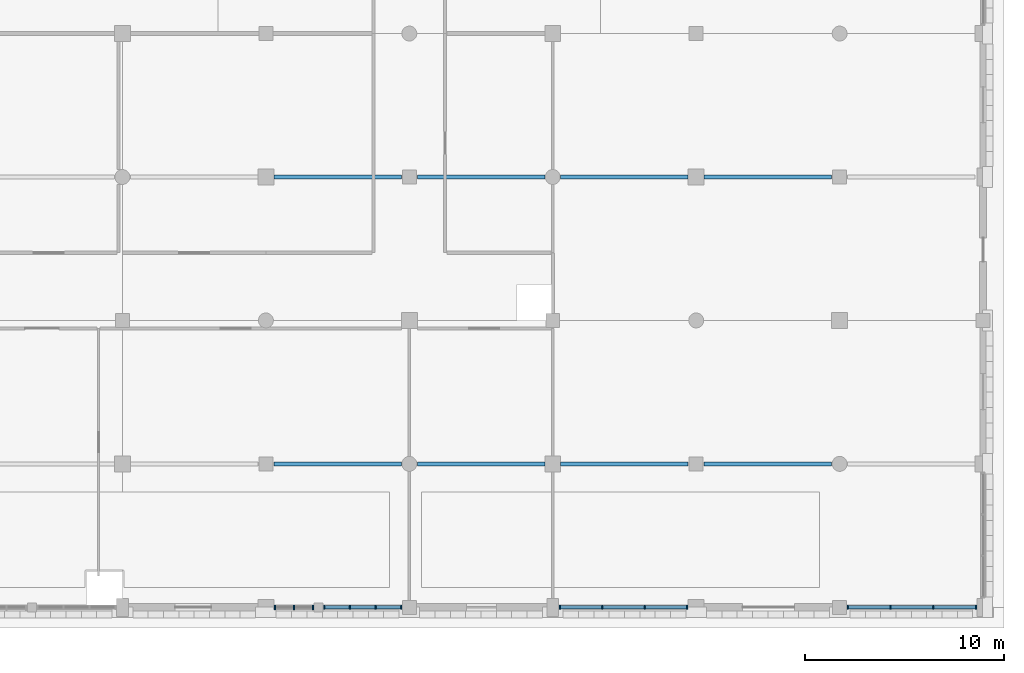
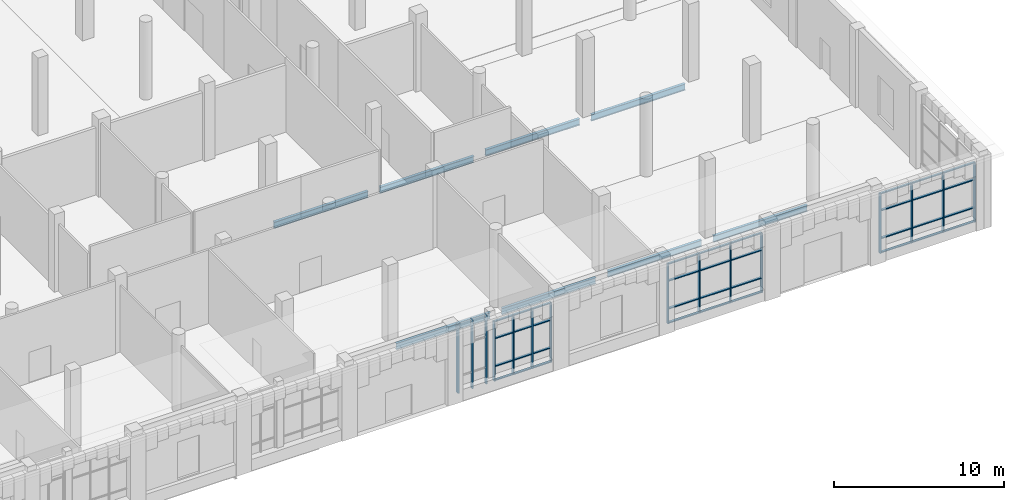
# One storey, part 28 of 85: 51 members, 8 beams, 4 elements without a shape of their own.
"""IFC4 building model written with IfcOpenShell, lengths in metres."""

import ifcopenshell
import ifcopenshell.guid

model = None  # the IFC model being written
_history = None  # IfcOwnerHistory: only IFC2X3 demands one
_inside = {}  # id of a spatial element -> (the spatial element, [elements in it])
_under = {}  # id of a project, library or spatial element -> (it, [spatial elements below it])
_declared = {}  # id of a project -> (the project, [libraries it declares])
_typed = {}  # id of a type object -> (the type object, [elements of that type])
_made_of = {}  # id of a material, layer set ... -> (it, [elements and type objects made of it])


def new_model(schema):
    """Start an empty IFC model of exactly this schema.

    Asked for "IFC4X3", IfcOpenShell would pick the latest addendum, in which some entities
    have other attributes; the version numbers below select the first issue.
    IFC2X3 requires an IfcOwnerHistory on every rooted entity: one is made here for all.
    """
    global model, _history
    if schema == "IFC4X3":
        model = ifcopenshell.file(schema_version=(4, 3, 0, 0))
    else:
        model = ifcopenshell.file(schema=schema)
    _inside.clear()
    _under.clear()
    _declared.clear()
    _typed.clear()
    _made_of.clear()
    _history = None
    if model.schema == "IFC2X3":
        org = make("IfcOrganization", Name="unknown")
        user = make(
            "IfcPersonAndOrganization",
            ThePerson=make("IfcPerson", FamilyName="unknown"),
            TheOrganization=org,
        )
        app = make(
            "IfcApplication",
            ApplicationDeveloper=org,
            Version="unknown",
            ApplicationFullName="unknown",
            ApplicationIdentifier="unknown",
        )
        _history = make(
            "IfcOwnerHistory",
            OwningUser=user,
            OwningApplication=app,
            ChangeAction="ADDED",
            CreationDate=0,
        )
    return model


def make(cls, **values):
    """One entity of the class cls with the attributes given. An attribute that is None is left unset."""
    return model.create_entity(
        cls, **{name: value for name, value in values.items() if value is not None}
    )


def rooted(cls, **values):
    """An entity with a GlobalId (a new one), such as an element, a storey or a relation."""
    return make(cls, GlobalId=ifcopenshell.guid.new(), OwnerHistory=_history, **values)


def si_unit(unit_type, name, prefix=None):
    """IfcSIUnit, for example si_unit("LENGTHUNIT", "METRE", prefix="MILLI")."""
    return make("IfcSIUnit", UnitType=unit_type, Prefix=prefix, Name=name)


def assignment(units):
    """IfcUnitAssignment: the units of a project."""
    return None if units is None else make("IfcUnitAssignment", Units=units)


def point(xyz):
    """IfcCartesianPoint."""
    return None if xyz is None else make("IfcCartesianPoint", Coordinates=xyz)


def direction(xyz):
    """IfcDirection."""
    return None if xyz is None else make("IfcDirection", DirectionRatios=xyz)


def frame(location, z_axis=None, x_axis=None):
    """IfcAxis2Placement3D, a coordinate frame: its origin and axes. An axis left out is left unset."""
    return make(
        "IfcAxis2Placement3D",
        Location=point(location),
        Axis=direction(z_axis),
        RefDirection=direction(x_axis),
    )


def frame_2d(location, x_axis=None):
    """IfcAxis2Placement2D, a coordinate frame in the plane: its origin and x axis."""
    return make(
        "IfcAxis2Placement2D", Location=point(location), RefDirection=direction(x_axis)
    )


def origin():
    """The frame at (0, 0, 0) with its axes left unset."""
    return frame((0.0, 0.0, 0.0))


def origin_2d():
    """The frame at (0, 0) in the plane with its x axis left unset."""
    return frame_2d((0.0, 0.0))


def place(relative_to, where):
    """IfcLocalPlacement: puts the frame where relative to a parent placement (None: the world)."""
    return make(
        "IfcLocalPlacement", PlacementRelTo=relative_to, RelativePlacement=where
    )


def context(
    kind, dimensions, precision=None, world=None, true_north=None, identifier=None
):
    """IfcGeometricRepresentationContext, for example the 3D "Model" context."""
    return make(
        "IfcGeometricRepresentationContext",
        ContextIdentifier=identifier,
        ContextType=kind,
        CoordinateSpaceDimension=dimensions,
        Precision=precision,
        WorldCoordinateSystem=world,
        TrueNorth=true_north,
    )


def subcontext(parent, identifier, kind, view, scale=None):
    """IfcGeometricRepresentationSubContext, for example "Body" below "Model"."""
    return make(
        "IfcGeometricRepresentationSubContext",
        ContextIdentifier=identifier,
        ContextType=kind,
        ParentContext=parent,
        TargetScale=scale,
        TargetView=view,
    )


def project(units=None, contexts=None):
    """IfcProject with its units and contexts."""
    return rooted(
        "IfcProject",
        Name="project",
        RepresentationContexts=contexts,
        UnitsInContext=assignment(units),
    )


def spatial(cls, under=None, at=None, **own):
    """A site, building, storey or space (cls), placed at a placement, below another one or the project."""
    s = rooted(cls, ObjectPlacement=at, **own)
    if under is not None:
        _under.setdefault(under.id(), (under, []))[1].append(s)
    return s


def profile(cls, at=None, kind="AREA", **sizes):
    """A parametric profile (cls). Its sizes go by their IFC names, for example OverallWidth=200.0."""
    return make(cls, ProfileType=kind, Position=at, **sizes)


def rectangle(**sizes):
    """IfcRectangleProfileDef."""
    return profile("IfcRectangleProfileDef", **sizes)


def i_section(**sizes):
    """IfcIShapeProfileDef."""
    return profile("IfcIShapeProfileDef", **sizes)


def extrude(swept, where, along, depth):
    """IfcExtrudedAreaSolid: the profile swept, set in the frame where, extruded along a direction by depth."""
    return make(
        "IfcExtrudedAreaSolid",
        SweptArea=swept,
        Position=where,
        ExtrudedDirection=direction(along),
        Depth=depth,
    )


def shape(context_of_items, identifier, shape_type, items):
    """IfcShapeRepresentation: the items that make up one representation, for example the "Body"."""
    return make(
        "IfcShapeRepresentation",
        ContextOfItems=context_of_items,
        RepresentationIdentifier=identifier,
        RepresentationType=shape_type,
        Items=items,
    )


def material(Name=None, Category=None):
    """IfcMaterial."""
    return make("IfcMaterial", Name=Name, Category=Category)


def material_profile(
    of_material, cross_section, Name=None, Category=None, Priority=None
):
    """IfcMaterialProfile: a cross section and its material."""
    return make(
        "IfcMaterialProfile",
        Name=Name,
        Material=of_material,
        Profile=cross_section,
        Priority=Priority,
        Category=Category,
    )


def profile_set(profiles, Name=None, composite=None):
    """IfcMaterialProfileSet."""
    return make(
        "IfcMaterialProfileSet",
        Name=Name,
        MaterialProfiles=profiles,
        CompositeProfile=composite,
    )


def made_of(thing, what):
    """Note that an element or type object is made of a material, layer set ...; save() writes the relation."""
    if what is not None:
        _made_of.setdefault(what.id(), (what, []))[1].append(thing)
    return thing


def type_object(cls, material=None, **own):
    """A type object (cls), such as IfcWallType, which elements share."""
    return made_of(rooted(cls, **own), material)


def element(
    cls,
    number,
    at=None,
    inside=None,
    cuts=None,
    type_object=None,
    material=None,
    context=None,
    identifier="Body",
    shape_type=None,
    held_by="IfcProductDefinitionShape",
    body=None,
    shapes=None,
    **own,
):
    """One element of the class cls, such as IfcWall. Its Tag is "e" and its number.

    at: its placement. inside: the storey or other place that contains it. cuts: it is an
    opening in that element (IfcRelVoidsElement). A single representation is given by context,
    identifier, shape_type and body (its items); several are given by shapes. held_by: the class
    of the entity that holds the representations. save() writes the other relations.
    """
    e = rooted(cls, Tag="e%d" % number, ObjectPlacement=at, **own)
    if body is not None:
        shapes = [shape(context, identifier, shape_type, body)]
    if shapes is not None:
        e.Representation = make(held_by, Representations=shapes)
    if inside is not None:
        _inside.setdefault(inside.id(), (inside, []))[1].append(e)
    if cuts is not None:
        rooted(
            "IfcRelVoidsElement", RelatingBuildingElement=cuts, RelatedOpeningElement=e
        )
    if type_object is not None:
        _typed.setdefault(type_object.id(), (type_object, []))[1].append(e)
    return made_of(e, material)


def aggregate(whole, parts):
    """IfcRelAggregates: a whole, such as a stair, and the parts it consists of."""
    return rooted("IfcRelAggregates", RelatingObject=whole, RelatedObjects=parts)


def save(model, path):
    """Write the relations noted so far, then the file.

    IfcRelAggregates (storeys below a building ...), IfcRelContainedInSpatialStructure (elements
    in a storey), IfcRelDefinesByType, IfcRelAssociatesMaterial and IfcRelDeclares: one each for
    every whole, place, type object, material and project.
    """
    for whole, parts in _under.values():
        aggregate(whole, parts)
    for where, things in _inside.values():
        rooted(
            "IfcRelContainedInSpatialStructure",
            RelatedElements=things,
            RelatingStructure=where,
        )
    for kind, things in _typed.values():
        rooted("IfcRelDefinesByType", RelatedObjects=things, RelatingType=kind)
    for what, things in _made_of.values():
        rooted("IfcRelAssociatesMaterial", RelatedObjects=things, RelatingMaterial=what)
    for by, libraries in _declared.values():
        rooted("IfcRelDeclares", RelatingContext=by, RelatedDefinitions=libraries)
    model.write(path)


model = new_model("IFC4")

# Units and contexts
model_context = context("Model", 3, precision=1e-05, world=origin(), true_north=direction((0.0, 1.0)))
body_context = subcontext(model_context, "Body", "Model", "MODEL_VIEW")
ifc_project = project(units=[si_unit("LENGTHUNIT", "METRE"), si_unit("AREAUNIT", "SQUARE_METRE"), si_unit("VOLUMEUNIT", "CUBIC_METRE"), si_unit("PLANEANGLEUNIT", "RADIAN"), si_unit("MASSUNIT", "GRAM", prefix="KILO")], contexts=[model_context])

# Site, building, storey
site_placement = place(None, origin())
site = spatial("IfcSite", under=ifc_project, at=site_placement, CompositionType="ELEMENT")
building_placement = place(site_placement, origin())
building = spatial("IfcBuilding", under=site, at=building_placement, Name="Sardonyx Promenade Sports Hall", CompositionType="ELEMENT")
storey_placement = place(building_placement, origin())
storey = spatial("IfcBuildingStorey", under=building, at=storey_placement, Name="L00", CompositionType="ELEMENT", Elevation=0.0)

# Beams
ifc_material_1 = material(Name="Steel S355JR", Category="steel")
ifc_material_profile_1 = material_profile(ifc_material_1, i_section(OverallWidth=0.18994140625, OverallDepth=0.453369140625, WebThickness=0.008544921875, FlangeThickness=0.0126953125, at=origin_2d()))
ifc_profile_set_1 = profile_set([ifc_material_profile_1], Name="Steel S355JR")
beam_type = type_object("IfcBeamType", Name="Bm_Girder_UB457", PredefinedType="BEAM", material=ifc_profile_set_1)
beam_1_placement = place(storey_placement, frame((130.0, 7.199951171875, -0.646728515625), z_axis=(1.0, 0.0, 0.0), x_axis=(0.0, 1.0, 0.0)))
element("IfcBeam", 1, at=beam_1_placement, inside=storey, type_object=beam_type, Name="Beam SB01 L00 #72", PredefinedType="BEAM", context=body_context, shape_type="SweptSolid", body=[
    extrude(i_section(OverallWidth=0.18994140625, OverallDepth=0.453369140625, WebThickness=0.008544921875, FlangeThickness=0.0126953125, at=origin_2d()), origin(), (0.0, 0.0, 1.0), 6.39990234375),
])
for number, where, z_axis, x_axis, name in (
    (2, (137.199951171875, 7.199951171875, -0.646728515625), (1.0, 0.0, 0.0), (0.0, 1.0, 0.0), "Beam SB01 L00 #73"),
    (3, (144.39990234375, 7.199951171875, -0.476806640625), (1.0, 0.0, 0.0), (0.0, 1.0, 0.0), "Beam SB01 L00 #74"),
):
    element("IfcBeam", number, at=place(storey_placement, frame(where, z_axis=z_axis, x_axis=x_axis)), inside=storey, type_object=beam_type, Name=name, PredefinedType="BEAM", context=body_context, shape_type="SweptSolid", body=[
        extrude(i_section(OverallWidth=0.18994140625, OverallDepth=0.453369140625, WebThickness=0.008544921875, FlangeThickness=0.0126953125, at=origin_2d()), origin(), (0.0, 0.0, 1.0), 6.400146484375),
    ])
for number, where, z_axis, x_axis, name in (
    (4, (151.60009765625, 7.199951171875, -0.476806640625), (1.0, 0.0, 0.0), (0.0, 1.0, 0.0), "Beam SB01 L00 #75"),
    (5, (130.0, 21.60009765625, -0.646728515625), (1.0, 0.0, 0.0), (0.0, 1.0, 0.0), "Beam SB01 L00 #95"),
):
    element("IfcBeam", number, at=place(storey_placement, frame(where, z_axis=z_axis, x_axis=x_axis)), inside=storey, type_object=beam_type, Name=name, PredefinedType="BEAM", context=body_context, shape_type="SweptSolid", body=[
        extrude(i_section(OverallWidth=0.18994140625, OverallDepth=0.453369140625, WebThickness=0.008544921875, FlangeThickness=0.0126953125, at=origin_2d()), origin(), (0.0, 0.0, 1.0), 6.39990234375),
    ])
for number, where, z_axis, x_axis, name in (
    (6, (137.199951171875, 21.60009765625, -0.646728515625), (1.0, 0.0, 0.0), (0.0, 1.0, 0.0), "Beam SB01 L00 #96"),
    (7, (144.39990234375, 21.60009765625, -0.476806640625), (1.0, 0.0, 0.0), (0.0, 1.0, 0.0), "Beam SB01 L00 #97"),
):
    element("IfcBeam", number, at=place(storey_placement, frame(where, z_axis=z_axis, x_axis=x_axis)), inside=storey, type_object=beam_type, Name=name, PredefinedType="BEAM", context=body_context, shape_type="SweptSolid", body=[
        extrude(i_section(OverallWidth=0.18994140625, OverallDepth=0.453369140625, WebThickness=0.008544921875, FlangeThickness=0.0126953125, at=origin_2d()), origin(), (0.0, 0.0, 1.0), 6.400146484375),
    ])
beam_2_placement = place(storey_placement, frame((151.60009765625, 21.60009765625, -0.476806640625), z_axis=(1.0, 0.0, 0.0), x_axis=(0.0, 1.0, 0.0)))
element("IfcBeam", 8, at=beam_2_placement, inside=storey, type_object=beam_type, Name="Beam SB01 L00 #98", PredefinedType="BEAM", context=body_context, shape_type="SweptSolid", body=[
    extrude(i_section(OverallWidth=0.18994140625, OverallDepth=0.453369140625, WebThickness=0.008544921875, FlangeThickness=0.0126953125, at=origin_2d()), origin(), (0.0, 0.0, 1.0), 6.39990234375),
])

# Curtain wall, members
ifc_material_2 = material(Name="Aluminium 6063-T6", Category="aluminium")
curtain_wall_type_1 = type_object("IfcCurtainWallType", Name="CW_South_L00_640", PredefinedType="USERDEFINED", material=ifc_material_2)
curtain_wall_1_placement = place(storey_placement, origin())
curtain_wall_1 = element("IfcCurtainWall", 9, at=curtain_wall_1_placement, inside=storey, type_object=curtain_wall_type_1, Name="Curtain wall CW11 cw:L00:001", ObjectType="CURTAIN WALL", PredefinedType="USERDEFINED")
ifc_material_3 = material(Name="Aluminium 6063-T6", Category="aluminium")
ifc_material_profile_2 = material_profile(ifc_material_3, rectangle(XDim=0.070068359375, YDim=0.199951171875, at=origin_2d()))
ifc_profile_set_2 = profile_set([ifc_material_profile_2], Name="Aluminium 6063-T6")
member_type_1 = type_object("IfcMemberType", Name="CW_Mull_200", PredefinedType="MULLION", material=ifc_profile_set_2)
member_1_placement = place(storey_placement, frame((165.2451171875, 0.0, 0.35009765625), z_axis=(0.0, 0.0, 1.0), x_axis=(-1.0, 0.0, 0.0)))
member_1 = element("IfcMember", 10, at=member_1_placement, type_object=member_type_1, Name="Mullion CM03 cw:L00:001 #1", PredefinedType="MULLION", context=body_context, shape_type="SweptSolid", body=[
    extrude(rectangle(XDim=0.070068359375, YDim=0.199951171875, at=origin_2d()), origin(), (0.0, 0.0, 1.0), 4.2998046875),
])
member_2_placement = place(storey_placement, frame((163.098388671875, 0.0, 0.35009765625), z_axis=(0.0, 0.0, 1.0), x_axis=(-1.0, 0.0, 0.0)))
member_2 = element("IfcMember", 11, at=member_2_placement, type_object=member_type_1, Name="Mullion CM03 cw:L00:001 #2", PredefinedType="MULLION", context=body_context, shape_type="SweptSolid", body=[
    extrude(rectangle(XDim=0.070068359375, YDim=0.199951171875, at=origin_2d()), origin(), (0.0, 0.0, 1.0), 4.2998046875),
])
member_3_placement = place(storey_placement, frame((160.95166015625, 0.0, 0.35009765625), z_axis=(0.0, 0.0, 1.0), x_axis=(-1.0, 0.0, 0.0)))
member_3 = element("IfcMember", 12, at=member_3_placement, type_object=member_type_1, Name="Mullion CM03 cw:L00:001 #3", PredefinedType="MULLION", context=body_context, shape_type="SweptSolid", body=[
    extrude(rectangle(XDim=0.070068359375, YDim=0.199951171875, at=origin_2d()), origin(), (0.0, 0.0, 1.0), 4.2998046875),
])
member_4_placement = place(storey_placement, frame((158.804931640625, 0.0, 0.35009765625), z_axis=(0.0, 0.0, 1.0), x_axis=(-1.0, 0.0, 0.0)))
member_4 = element("IfcMember", 13, at=member_4_placement, type_object=member_type_1, Name="Mullion CM03 cw:L00:001 #4", PredefinedType="MULLION", context=body_context, shape_type="SweptSolid", body=[
    extrude(rectangle(XDim=0.070068359375, YDim=0.199951171875, at=origin_2d()), origin(), (0.0, 0.0, 1.0), 4.2998046875),
])

curtain_wall_2_placement = place(storey_placement, origin())
curtain_wall_2 = element("IfcCurtainWall", 14, at=curtain_wall_2_placement, inside=storey, type_object=curtain_wall_type_1, Name="Curtain wall CW11 cw:L00:002", ObjectType="CURTAIN WALL", PredefinedType="USERDEFINED")
member_5_placement = place(storey_placement, frame((150.7451171875, 0.0, 0.35009765625), z_axis=(0.0, 0.0, 1.0), x_axis=(-1.0, 0.0, 0.0)))
member_5 = element("IfcMember", 15, at=member_5_placement, type_object=member_type_1, Name="Mullion CM03 cw:L00:002 #1", PredefinedType="MULLION", context=body_context, shape_type="SweptSolid", body=[
    extrude(rectangle(XDim=0.070068359375, YDim=0.199951171875, at=origin_2d()), origin(), (0.0, 0.0, 1.0), 4.2998046875),
])
member_6_placement = place(storey_placement, frame((148.614990234375, 0.0, 0.35009765625), z_axis=(0.0, 0.0, 1.0), x_axis=(-1.0, 0.0, 0.0)))
member_6 = element("IfcMember", 16, at=member_6_placement, type_object=member_type_1, Name="Mullion CM03 cw:L00:002 #2", PredefinedType="MULLION", context=body_context, shape_type="SweptSolid", body=[
    extrude(rectangle(XDim=0.070068359375, YDim=0.199951171875, at=origin_2d()), origin(), (0.0, 0.0, 1.0), 4.2998046875),
])
member_7_placement = place(storey_placement, frame((146.485107421875, 0.0, 0.35009765625), z_axis=(0.0, 0.0, 1.0), x_axis=(-1.0, 0.0, 0.0)))
member_7 = element("IfcMember", 17, at=member_7_placement, type_object=member_type_1, Name="Mullion CM03 cw:L00:002 #3", PredefinedType="MULLION", context=body_context, shape_type="SweptSolid", body=[
    extrude(rectangle(XDim=0.070068359375, YDim=0.199951171875, at=origin_2d()), origin(), (0.0, 0.0, 1.0), 4.2998046875),
])
member_8_placement = place(storey_placement, frame((144.35498046875, 0.0, 0.35009765625), z_axis=(0.0, 0.0, 1.0), x_axis=(-1.0, 0.0, 0.0)))
member_8 = element("IfcMember", 18, at=member_8_placement, type_object=member_type_1, Name="Mullion CM03 cw:L00:002 #4", PredefinedType="MULLION", context=body_context, shape_type="SweptSolid", body=[
    extrude(rectangle(XDim=0.070068359375, YDim=0.199951171875, at=origin_2d()), origin(), (0.0, 0.0, 1.0), 4.2998046875),
])

curtain_wall_3_placement = place(storey_placement, origin())
curtain_wall_3 = element("IfcCurtainWall", 19, at=curtain_wall_3_placement, inside=storey, type_object=curtain_wall_type_1, Name="Curtain wall CW11 cw:L00:003", ObjectType="CURTAIN WALL", PredefinedType="USERDEFINED")
member_9_placement = place(storey_placement, frame((136.39501953125, 0.0, 0.35009765625), z_axis=(0.0, 0.0, 1.0), x_axis=(-1.0, 0.0, 0.0)))
member_9 = element("IfcMember", 20, at=member_9_placement, type_object=member_type_1, Name="Mullion CM03 cw:L00:003 #1", PredefinedType="MULLION", context=body_context, shape_type="SweptSolid", body=[
    extrude(rectangle(XDim=0.070068359375, YDim=0.199951171875, at=origin_2d()), origin(), (0.0, 0.0, 1.0), 4.2998046875),
])
member_10_placement = place(storey_placement, frame((135.106689453125, 0.0, 0.35009765625), z_axis=(0.0, 0.0, 1.0), x_axis=(-1.0, 0.0, 0.0)))
member_10 = element("IfcMember", 21, at=member_10_placement, type_object=member_type_1, Name="Mullion CM03 cw:L00:003 #2", PredefinedType="MULLION", context=body_context, shape_type="SweptSolid", body=[
    extrude(rectangle(XDim=0.070068359375, YDim=0.199951171875, at=origin_2d()), origin(), (0.0, 0.0, 1.0), 4.2998046875),
])
member_11_placement = place(storey_placement, frame((133.818359375, 0.0, 0.35009765625), z_axis=(0.0, 0.0, 1.0), x_axis=(-1.0, 0.0, 0.0)))
member_11 = element("IfcMember", 22, at=member_11_placement, type_object=member_type_1, Name="Mullion CM03 cw:L00:003 #3", PredefinedType="MULLION", context=body_context, shape_type="SweptSolid", body=[
    extrude(rectangle(XDim=0.070068359375, YDim=0.199951171875, at=origin_2d()), origin(), (0.0, 0.0, 1.0), 4.2998046875),
])
member_12_placement = place(storey_placement, frame((132.530029296875, 0.0, 0.35009765625), z_axis=(0.0, 0.0, 1.0), x_axis=(-1.0, 0.0, 0.0)))
member_12 = element("IfcMember", 23, at=member_12_placement, type_object=member_type_1, Name="Mullion CM03 cw:L00:003 #4", PredefinedType="MULLION", context=body_context, shape_type="SweptSolid", body=[
    extrude(rectangle(XDim=0.070068359375, YDim=0.199951171875, at=origin_2d()), origin(), (0.0, 0.0, 1.0), 4.2998046875),
])

ifc_material_4 = material(Name="Aluminium 6063-T6", Category="aluminium")
curtain_wall_type_2 = type_object("IfcCurtainWallType", Name="CW_Foyer_Pilaster_L00", PredefinedType="USERDEFINED", material=ifc_material_4)
curtain_wall_4_placement = place(storey_placement, origin())
curtain_wall_4 = element("IfcCurtainWall", 24, at=curtain_wall_4_placement, inside=storey, type_object=curtain_wall_type_2, Name="Curtain wall CW20 cw:L00:004", ObjectType="CURTAIN WALL", PredefinedType="USERDEFINED")
ifc_material_5 = material(Name="Aluminium 6063-T6", Category="aluminium")
ifc_material_profile_3 = material_profile(ifc_material_5, rectangle(XDim=0.074951171875, YDim=0.22509765625, at=origin_2d()))
ifc_profile_set_3 = profile_set([ifc_material_profile_3], Name="Aluminium 6063-T6")
member_type_2 = type_object("IfcMemberType", Name="CW_Mull_225", PredefinedType="MULLION", material=ifc_profile_set_3)
member_13_placement = place(storey_placement, frame((131.967529296875, 0.0, 0.35009765625), z_axis=(0.0, 0.0, 1.0), x_axis=(-1.0, 0.0, 0.0)))
member_13 = element("IfcMember", 25, at=member_13_placement, type_object=member_type_2, Name="Mullion CM04 cw:L00:004 #1", PredefinedType="MULLION", context=body_context, shape_type="SweptSolid", body=[
    extrude(rectangle(XDim=0.074951171875, YDim=0.22509765625, at=origin_2d()), origin(), (0.0, 0.0, 1.0), 4.949951171875),
])
member_14_placement = place(storey_placement, frame((131.012451171875, 0.0, 0.35009765625), z_axis=(0.0, 0.0, 1.0), x_axis=(-1.0, 0.0, 0.0)))
member_14 = element("IfcMember", 26, at=member_14_placement, type_object=member_type_2, Name="Mullion CM04 cw:L00:004 #2", PredefinedType="MULLION", context=body_context, shape_type="SweptSolid", body=[
    extrude(rectangle(XDim=0.074951171875, YDim=0.22509765625, at=origin_2d()), origin(), (0.0, 0.0, 1.0), 4.949951171875),
])
member_15_placement = place(storey_placement, frame((130.0576171875, 0.0, 0.35009765625), z_axis=(0.0, 0.0, 1.0), x_axis=(-1.0, 0.0, 0.0)))
member_15 = element("IfcMember", 27, at=member_15_placement, type_object=member_type_2, Name="Mullion CM04 cw:L00:004 #3", PredefinedType="MULLION", context=body_context, shape_type="SweptSolid", body=[
    extrude(rectangle(XDim=0.074951171875, YDim=0.22509765625, at=origin_2d()), origin(), (0.0, 0.0, 1.0), 4.949951171875),
])
aggregate(curtain_wall_4, [member_13, member_14, member_15])

# Member
ifc_material_6 = material(Name="Aluminium 6063-T6", Category="aluminium")
ifc_material_profile_4 = material_profile(ifc_material_6, rectangle(XDim=0.070068359375, YDim=0.159912109375, at=origin_2d()))
ifc_profile_set_4 = profile_set([ifc_material_profile_4], Name="Aluminium 6063-T6")
member_type_3 = type_object("IfcMemberType", Name="CW_Tran_160", PredefinedType="USERDEFINED", material=ifc_profile_set_4)
member_16_placement = place(storey_placement, frame((165.2099609375, 0.0, 0.385009765625), z_axis=(-1.0, 0.0, 0.0), x_axis=(0.0, 0.0, 1.0)))
member_16 = element("IfcMember", 28, at=member_16_placement, type_object=member_type_3, Name="Transom CT03 cw:L00:001 #1", ObjectType="TRANSOM", PredefinedType="USERDEFINED", context=body_context, shape_type="SweptSolid", body=[
    extrude(rectangle(XDim=0.070068359375, YDim=0.159912109375, at=origin_2d()), origin(), (0.0, 0.0, 1.0), 2.07666015625),
])

member_17_placement = place(storey_placement, frame((165.2099609375, 0.0, 1.39990234375), z_axis=(-1.0, 0.0, 0.0), x_axis=(0.0, 0.0, 1.0)))
member_17 = element("IfcMember", 29, at=member_17_placement, type_object=member_type_3, Name="Transom CT03 cw:L00:001 #2", ObjectType="TRANSOM", PredefinedType="USERDEFINED", context=body_context, shape_type="SweptSolid", body=[
    extrude(rectangle(XDim=0.070068359375, YDim=0.159912109375, at=origin_2d()), origin(), (0.0, 0.0, 1.0), 2.07666015625),
])

member_18_placement = place(storey_placement, frame((165.2099609375, 0.0, 3.39990234375), z_axis=(-1.0, 0.0, 0.0), x_axis=(0.0, 0.0, 1.0)))
member_18 = element("IfcMember", 30, at=member_18_placement, type_object=member_type_3, Name="Transom CT03 cw:L00:001 #3", ObjectType="TRANSOM", PredefinedType="USERDEFINED", context=body_context, shape_type="SweptSolid", body=[
    extrude(rectangle(XDim=0.070068359375, YDim=0.159912109375, at=origin_2d()), origin(), (0.0, 0.0, 1.0), 2.07666015625),
])

member_19_placement = place(storey_placement, frame((165.2099609375, 0.0, 4.614990234375), z_axis=(-1.0, 0.0, 0.0), x_axis=(0.0, 0.0, 1.0)))
member_19 = element("IfcMember", 31, at=member_19_placement, type_object=member_type_3, Name="Transom CT03 cw:L00:001 #4", ObjectType="TRANSOM", PredefinedType="USERDEFINED", context=body_context, shape_type="SweptSolid", body=[
    extrude(rectangle(XDim=0.070068359375, YDim=0.159912109375, at=origin_2d()), origin(), (0.0, 0.0, 1.0), 2.07666015625),
])

member_20_placement = place(storey_placement, frame((163.063232421875, 0.0, 0.385009765625), z_axis=(-1.0, 0.0, 0.0), x_axis=(0.0, 0.0, 1.0)))
member_20 = element("IfcMember", 32, at=member_20_placement, type_object=member_type_3, Name="Transom CT03 cw:L00:001 #5", ObjectType="TRANSOM", PredefinedType="USERDEFINED", context=body_context, shape_type="SweptSolid", body=[
    extrude(rectangle(XDim=0.070068359375, YDim=0.159912109375, at=origin_2d()), origin(), (0.0, 0.0, 1.0), 2.07666015625),
])

member_21_placement = place(storey_placement, frame((163.063232421875, 0.0, 1.39990234375), z_axis=(-1.0, 0.0, 0.0), x_axis=(0.0, 0.0, 1.0)))
member_21 = element("IfcMember", 33, at=member_21_placement, type_object=member_type_3, Name="Transom CT03 cw:L00:001 #6", ObjectType="TRANSOM", PredefinedType="USERDEFINED", context=body_context, shape_type="SweptSolid", body=[
    extrude(rectangle(XDim=0.070068359375, YDim=0.159912109375, at=origin_2d()), origin(), (0.0, 0.0, 1.0), 2.07666015625),
])

member_22_placement = place(storey_placement, frame((163.063232421875, 0.0, 3.39990234375), z_axis=(-1.0, 0.0, 0.0), x_axis=(0.0, 0.0, 1.0)))
member_22 = element("IfcMember", 34, at=member_22_placement, type_object=member_type_3, Name="Transom CT03 cw:L00:001 #7", ObjectType="TRANSOM", PredefinedType="USERDEFINED", context=body_context, shape_type="SweptSolid", body=[
    extrude(rectangle(XDim=0.070068359375, YDim=0.159912109375, at=origin_2d()), origin(), (0.0, 0.0, 1.0), 2.07666015625),
])

member_23_placement = place(storey_placement, frame((163.063232421875, 0.0, 4.614990234375), z_axis=(-1.0, 0.0, 0.0), x_axis=(0.0, 0.0, 1.0)))
member_23 = element("IfcMember", 35, at=member_23_placement, type_object=member_type_3, Name="Transom CT03 cw:L00:001 #8", ObjectType="TRANSOM", PredefinedType="USERDEFINED", context=body_context, shape_type="SweptSolid", body=[
    extrude(rectangle(XDim=0.070068359375, YDim=0.159912109375, at=origin_2d()), origin(), (0.0, 0.0, 1.0), 2.07666015625),
])

member_24_placement = place(storey_placement, frame((160.916748046875, 0.0, 0.385009765625), z_axis=(-1.0, 0.0, 0.0), x_axis=(0.0, 0.0, 1.0)))
member_24 = element("IfcMember", 36, at=member_24_placement, type_object=member_type_3, Name="Transom CT03 cw:L00:001 #9", ObjectType="TRANSOM", PredefinedType="USERDEFINED", context=body_context, shape_type="SweptSolid", body=[
    extrude(rectangle(XDim=0.070068359375, YDim=0.159912109375, at=origin_2d()), origin(), (0.0, 0.0, 1.0), 2.07666015625),
])

member_25_placement = place(storey_placement, frame((160.916748046875, 0.0, 1.39990234375), z_axis=(-1.0, 0.0, 0.0), x_axis=(0.0, 0.0, 1.0)))
member_25 = element("IfcMember", 37, at=member_25_placement, type_object=member_type_3, Name="Transom CT03 cw:L00:001 #10", ObjectType="TRANSOM", PredefinedType="USERDEFINED", context=body_context, shape_type="SweptSolid", body=[
    extrude(rectangle(XDim=0.070068359375, YDim=0.159912109375, at=origin_2d()), origin(), (0.0, 0.0, 1.0), 2.07666015625),
])

member_26_placement = place(storey_placement, frame((160.916748046875, 0.0, 3.39990234375), z_axis=(-1.0, 0.0, 0.0), x_axis=(0.0, 0.0, 1.0)))
member_26 = element("IfcMember", 38, at=member_26_placement, type_object=member_type_3, Name="Transom CT03 cw:L00:001 #11", ObjectType="TRANSOM", PredefinedType="USERDEFINED", context=body_context, shape_type="SweptSolid", body=[
    extrude(rectangle(XDim=0.070068359375, YDim=0.159912109375, at=origin_2d()), origin(), (0.0, 0.0, 1.0), 2.07666015625),
])

member_27_placement = place(storey_placement, frame((160.916748046875, 0.0, 4.614990234375), z_axis=(-1.0, 0.0, 0.0), x_axis=(0.0, 0.0, 1.0)))
member_27 = element("IfcMember", 39, at=member_27_placement, type_object=member_type_3, Name="Transom CT03 cw:L00:001 #12", ObjectType="TRANSOM", PredefinedType="USERDEFINED", context=body_context, shape_type="SweptSolid", body=[
    extrude(rectangle(XDim=0.070068359375, YDim=0.159912109375, at=origin_2d()), origin(), (0.0, 0.0, 1.0), 2.07666015625),
])

aggregate(curtain_wall_1, [member_1, member_2, member_3, member_4, member_16, member_17, member_18, member_19, member_20, member_21, member_22, member_23, member_24, member_25, member_26, member_27])

member_28_placement = place(storey_placement, frame((150.7099609375, 0.0, 0.385009765625), z_axis=(-1.0, 0.0, 0.0), x_axis=(0.0, 0.0, 1.0)))
member_28 = element("IfcMember", 40, at=member_28_placement, type_object=member_type_3, Name="Transom CT03 cw:L00:002 #1", ObjectType="TRANSOM", PredefinedType="USERDEFINED", context=body_context, shape_type="SweptSolid", body=[
    extrude(rectangle(XDim=0.070068359375, YDim=0.159912109375, at=origin_2d()), origin(), (0.0, 0.0, 1.0), 2.06005859375),
])

member_29_placement = place(storey_placement, frame((150.7099609375, 0.0, 1.39990234375), z_axis=(-1.0, 0.0, 0.0), x_axis=(0.0, 0.0, 1.0)))
member_29 = element("IfcMember", 41, at=member_29_placement, type_object=member_type_3, Name="Transom CT03 cw:L00:002 #2", ObjectType="TRANSOM", PredefinedType="USERDEFINED", context=body_context, shape_type="SweptSolid", body=[
    extrude(rectangle(XDim=0.070068359375, YDim=0.159912109375, at=origin_2d()), origin(), (0.0, 0.0, 1.0), 2.06005859375),
])

member_30_placement = place(storey_placement, frame((150.7099609375, 0.0, 3.39990234375), z_axis=(-1.0, 0.0, 0.0), x_axis=(0.0, 0.0, 1.0)))
member_30 = element("IfcMember", 42, at=member_30_placement, type_object=member_type_3, Name="Transom CT03 cw:L00:002 #3", ObjectType="TRANSOM", PredefinedType="USERDEFINED", context=body_context, shape_type="SweptSolid", body=[
    extrude(rectangle(XDim=0.070068359375, YDim=0.159912109375, at=origin_2d()), origin(), (0.0, 0.0, 1.0), 2.06005859375),
])

member_31_placement = place(storey_placement, frame((150.7099609375, 0.0, 4.614990234375), z_axis=(-1.0, 0.0, 0.0), x_axis=(0.0, 0.0, 1.0)))
member_31 = element("IfcMember", 43, at=member_31_placement, type_object=member_type_3, Name="Transom CT03 cw:L00:002 #4", ObjectType="TRANSOM", PredefinedType="USERDEFINED", context=body_context, shape_type="SweptSolid", body=[
    extrude(rectangle(XDim=0.070068359375, YDim=0.159912109375, at=origin_2d()), origin(), (0.0, 0.0, 1.0), 2.06005859375),
])

member_32_placement = place(storey_placement, frame((148.580078125, 0.0, 0.385009765625), z_axis=(-1.0, 0.0, 0.0), x_axis=(0.0, 0.0, 1.0)))
member_32 = element("IfcMember", 44, at=member_32_placement, type_object=member_type_3, Name="Transom CT03 cw:L00:002 #5", ObjectType="TRANSOM", PredefinedType="USERDEFINED", context=body_context, shape_type="SweptSolid", body=[
    extrude(rectangle(XDim=0.070068359375, YDim=0.159912109375, at=origin_2d()), origin(), (0.0, 0.0, 1.0), 2.06005859375),
])

member_33_placement = place(storey_placement, frame((148.580078125, 0.0, 1.39990234375), z_axis=(-1.0, 0.0, 0.0), x_axis=(0.0, 0.0, 1.0)))
member_33 = element("IfcMember", 45, at=member_33_placement, type_object=member_type_3, Name="Transom CT03 cw:L00:002 #6", ObjectType="TRANSOM", PredefinedType="USERDEFINED", context=body_context, shape_type="SweptSolid", body=[
    extrude(rectangle(XDim=0.070068359375, YDim=0.159912109375, at=origin_2d()), origin(), (0.0, 0.0, 1.0), 2.06005859375),
])

member_34_placement = place(storey_placement, frame((148.580078125, 0.0, 3.39990234375), z_axis=(-1.0, 0.0, 0.0), x_axis=(0.0, 0.0, 1.0)))
member_34 = element("IfcMember", 46, at=member_34_placement, type_object=member_type_3, Name="Transom CT03 cw:L00:002 #7", ObjectType="TRANSOM", PredefinedType="USERDEFINED", context=body_context, shape_type="SweptSolid", body=[
    extrude(rectangle(XDim=0.070068359375, YDim=0.159912109375, at=origin_2d()), origin(), (0.0, 0.0, 1.0), 2.06005859375),
])

member_35_placement = place(storey_placement, frame((148.580078125, 0.0, 4.614990234375), z_axis=(-1.0, 0.0, 0.0), x_axis=(0.0, 0.0, 1.0)))
member_35 = element("IfcMember", 47, at=member_35_placement, type_object=member_type_3, Name="Transom CT03 cw:L00:002 #8", ObjectType="TRANSOM", PredefinedType="USERDEFINED", context=body_context, shape_type="SweptSolid", body=[
    extrude(rectangle(XDim=0.070068359375, YDim=0.159912109375, at=origin_2d()), origin(), (0.0, 0.0, 1.0), 2.06005859375),
])

member_36_placement = place(storey_placement, frame((146.449951171875, 0.0, 0.385009765625), z_axis=(-1.0, 0.0, 0.0), x_axis=(0.0, 0.0, 1.0)))
member_36 = element("IfcMember", 48, at=member_36_placement, type_object=member_type_3, Name="Transom CT03 cw:L00:002 #9", ObjectType="TRANSOM", PredefinedType="USERDEFINED", context=body_context, shape_type="SweptSolid", body=[
    extrude(rectangle(XDim=0.070068359375, YDim=0.159912109375, at=origin_2d()), origin(), (0.0, 0.0, 1.0), 2.06005859375),
])

member_37_placement = place(storey_placement, frame((146.449951171875, 0.0, 1.39990234375), z_axis=(-1.0, 0.0, 0.0), x_axis=(0.0, 0.0, 1.0)))
member_37 = element("IfcMember", 49, at=member_37_placement, type_object=member_type_3, Name="Transom CT03 cw:L00:002 #10", ObjectType="TRANSOM", PredefinedType="USERDEFINED", context=body_context, shape_type="SweptSolid", body=[
    extrude(rectangle(XDim=0.070068359375, YDim=0.159912109375, at=origin_2d()), origin(), (0.0, 0.0, 1.0), 2.06005859375),
])

member_38_placement = place(storey_placement, frame((146.449951171875, 0.0, 3.39990234375), z_axis=(-1.0, 0.0, 0.0), x_axis=(0.0, 0.0, 1.0)))
member_38 = element("IfcMember", 50, at=member_38_placement, type_object=member_type_3, Name="Transom CT03 cw:L00:002 #11", ObjectType="TRANSOM", PredefinedType="USERDEFINED", context=body_context, shape_type="SweptSolid", body=[
    extrude(rectangle(XDim=0.070068359375, YDim=0.159912109375, at=origin_2d()), origin(), (0.0, 0.0, 1.0), 2.06005859375),
])

member_39_placement = place(storey_placement, frame((146.449951171875, 0.0, 4.614990234375), z_axis=(-1.0, 0.0, 0.0), x_axis=(0.0, 0.0, 1.0)))
member_39 = element("IfcMember", 51, at=member_39_placement, type_object=member_type_3, Name="Transom CT03 cw:L00:002 #12", ObjectType="TRANSOM", PredefinedType="USERDEFINED", context=body_context, shape_type="SweptSolid", body=[
    extrude(rectangle(XDim=0.070068359375, YDim=0.159912109375, at=origin_2d()), origin(), (0.0, 0.0, 1.0), 2.06005859375),
])

aggregate(curtain_wall_2, [member_5, member_6, member_7, member_8, member_28, member_29, member_30, member_31, member_32, member_33, member_34, member_35, member_36, member_37, member_38, member_39])

member_40_placement = place(storey_placement, frame((136.360107421875, 0.0, 0.385009765625), z_axis=(-1.0, 0.0, 0.0), x_axis=(0.0, 0.0, 1.0)))
member_40 = element("IfcMember", 52, at=member_40_placement, type_object=member_type_3, Name="Transom CT03 cw:L00:003 #1", ObjectType="TRANSOM", PredefinedType="USERDEFINED", context=body_context, shape_type="SweptSolid", body=[
    extrude(rectangle(XDim=0.070068359375, YDim=0.159912109375, at=origin_2d()), origin(), (0.0, 0.0, 1.0), 1.218505859375),
])

member_41_placement = place(storey_placement, frame((136.360107421875, 0.0, 1.39990234375), z_axis=(-1.0, 0.0, 0.0), x_axis=(0.0, 0.0, 1.0)))
member_41 = element("IfcMember", 53, at=member_41_placement, type_object=member_type_3, Name="Transom CT03 cw:L00:003 #2", ObjectType="TRANSOM", PredefinedType="USERDEFINED", context=body_context, shape_type="SweptSolid", body=[
    extrude(rectangle(XDim=0.070068359375, YDim=0.159912109375, at=origin_2d()), origin(), (0.0, 0.0, 1.0), 1.218505859375),
])

member_42_placement = place(storey_placement, frame((136.360107421875, 0.0, 3.39990234375), z_axis=(-1.0, 0.0, 0.0), x_axis=(0.0, 0.0, 1.0)))
member_42 = element("IfcMember", 54, at=member_42_placement, type_object=member_type_3, Name="Transom CT03 cw:L00:003 #3", ObjectType="TRANSOM", PredefinedType="USERDEFINED", context=body_context, shape_type="SweptSolid", body=[
    extrude(rectangle(XDim=0.070068359375, YDim=0.159912109375, at=origin_2d()), origin(), (0.0, 0.0, 1.0), 1.218505859375),
])

member_43_placement = place(storey_placement, frame((136.360107421875, 0.0, 4.614990234375), z_axis=(-1.0, 0.0, 0.0), x_axis=(0.0, 0.0, 1.0)))
member_43 = element("IfcMember", 55, at=member_43_placement, type_object=member_type_3, Name="Transom CT03 cw:L00:003 #4", ObjectType="TRANSOM", PredefinedType="USERDEFINED", context=body_context, shape_type="SweptSolid", body=[
    extrude(rectangle(XDim=0.070068359375, YDim=0.159912109375, at=origin_2d()), origin(), (0.0, 0.0, 1.0), 1.218505859375),
])

member_44_placement = place(storey_placement, frame((135.07177734375, 0.0, 0.385009765625), z_axis=(-1.0, 0.0, 0.0), x_axis=(0.0, 0.0, 1.0)))
member_44 = element("IfcMember", 56, at=member_44_placement, type_object=member_type_3, Name="Transom CT03 cw:L00:003 #5", ObjectType="TRANSOM", PredefinedType="USERDEFINED", context=body_context, shape_type="SweptSolid", body=[
    extrude(rectangle(XDim=0.070068359375, YDim=0.159912109375, at=origin_2d()), origin(), (0.0, 0.0, 1.0), 1.218505859375),
])

member_45_placement = place(storey_placement, frame((135.07177734375, 0.0, 1.39990234375), z_axis=(-1.0, 0.0, 0.0), x_axis=(0.0, 0.0, 1.0)))
member_45 = element("IfcMember", 57, at=member_45_placement, type_object=member_type_3, Name="Transom CT03 cw:L00:003 #6", ObjectType="TRANSOM", PredefinedType="USERDEFINED", context=body_context, shape_type="SweptSolid", body=[
    extrude(rectangle(XDim=0.070068359375, YDim=0.159912109375, at=origin_2d()), origin(), (0.0, 0.0, 1.0), 1.218505859375),
])

member_46_placement = place(storey_placement, frame((135.07177734375, 0.0, 3.39990234375), z_axis=(-1.0, 0.0, 0.0), x_axis=(0.0, 0.0, 1.0)))
member_46 = element("IfcMember", 58, at=member_46_placement, type_object=member_type_3, Name="Transom CT03 cw:L00:003 #7", ObjectType="TRANSOM", PredefinedType="USERDEFINED", context=body_context, shape_type="SweptSolid", body=[
    extrude(rectangle(XDim=0.070068359375, YDim=0.159912109375, at=origin_2d()), origin(), (0.0, 0.0, 1.0), 1.218505859375),
])

member_47_placement = place(storey_placement, frame((135.07177734375, 0.0, 4.614990234375), z_axis=(-1.0, 0.0, 0.0), x_axis=(0.0, 0.0, 1.0)))
member_47 = element("IfcMember", 59, at=member_47_placement, type_object=member_type_3, Name="Transom CT03 cw:L00:003 #8", ObjectType="TRANSOM", PredefinedType="USERDEFINED", context=body_context, shape_type="SweptSolid", body=[
    extrude(rectangle(XDim=0.070068359375, YDim=0.159912109375, at=origin_2d()), origin(), (0.0, 0.0, 1.0), 1.218505859375),
])

member_48_placement = place(storey_placement, frame((133.783447265625, 0.0, 0.385009765625), z_axis=(-1.0, 0.0, 0.0), x_axis=(0.0, 0.0, 1.0)))
member_48 = element("IfcMember", 60, at=member_48_placement, type_object=member_type_3, Name="Transom CT03 cw:L00:003 #9", ObjectType="TRANSOM", PredefinedType="USERDEFINED", context=body_context, shape_type="SweptSolid", body=[
    extrude(rectangle(XDim=0.070068359375, YDim=0.159912109375, at=origin_2d()), origin(), (0.0, 0.0, 1.0), 1.218505859375),
])

member_49_placement = place(storey_placement, frame((133.783447265625, 0.0, 1.39990234375), z_axis=(-1.0, 0.0, 0.0), x_axis=(0.0, 0.0, 1.0)))
member_49 = element("IfcMember", 61, at=member_49_placement, type_object=member_type_3, Name="Transom CT03 cw:L00:003 #10", ObjectType="TRANSOM", PredefinedType="USERDEFINED", context=body_context, shape_type="SweptSolid", body=[
    extrude(rectangle(XDim=0.070068359375, YDim=0.159912109375, at=origin_2d()), origin(), (0.0, 0.0, 1.0), 1.218505859375),
])

member_50_placement = place(storey_placement, frame((133.783447265625, 0.0, 3.39990234375), z_axis=(-1.0, 0.0, 0.0), x_axis=(0.0, 0.0, 1.0)))
member_50 = element("IfcMember", 62, at=member_50_placement, type_object=member_type_3, Name="Transom CT03 cw:L00:003 #11", ObjectType="TRANSOM", PredefinedType="USERDEFINED", context=body_context, shape_type="SweptSolid", body=[
    extrude(rectangle(XDim=0.070068359375, YDim=0.159912109375, at=origin_2d()), origin(), (0.0, 0.0, 1.0), 1.218505859375),
])

member_51_placement = place(storey_placement, frame((133.783447265625, 0.0, 4.614990234375), z_axis=(-1.0, 0.0, 0.0), x_axis=(0.0, 0.0, 1.0)))
member_51 = element("IfcMember", 63, at=member_51_placement, type_object=member_type_3, Name="Transom CT03 cw:L00:003 #12", ObjectType="TRANSOM", PredefinedType="USERDEFINED", context=body_context, shape_type="SweptSolid", body=[
    extrude(rectangle(XDim=0.070068359375, YDim=0.159912109375, at=origin_2d()), origin(), (0.0, 0.0, 1.0), 1.218505859375),
])

aggregate(curtain_wall_3, [member_9, member_10, member_11, member_12, member_40, member_41, member_42, member_43, member_44, member_45, member_46, member_47, member_48, member_49, member_50, member_51])

save(model, "model.ifc")
